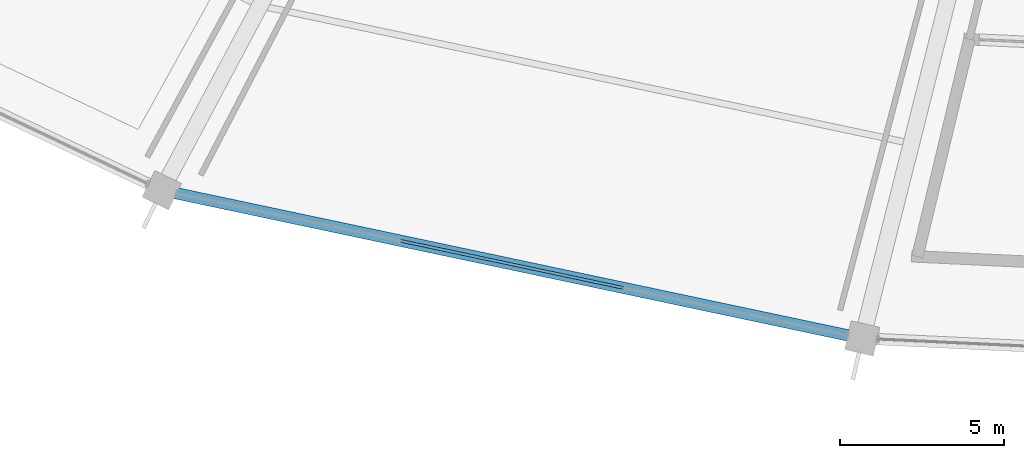
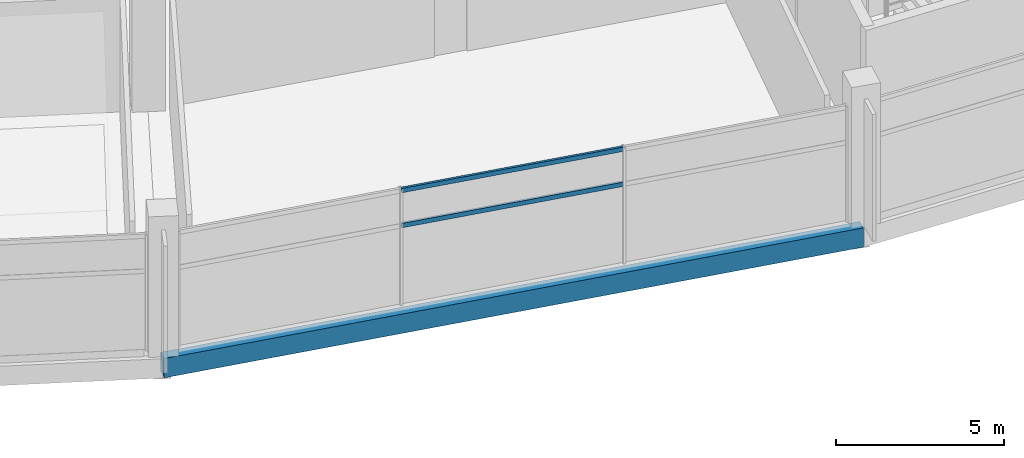
# One storey, part 17 of 184: 2 members, 1 beam, 1 element without a shape of its own.
"""IFC4 building model written with IfcOpenShell, lengths in metres."""

from ifc_helpers import new_model, si_unit, direction, frame, origin, origin_2d, place, context, subcontext, project, spatial, rectangle, hollow_rectangle, extrude, material, layer, layer_set, material_profile, profile_set, type_object, element, aggregate, save


model = new_model("IFC4")

# Units and contexts
model_context = context("Model", 3, precision=1e-05, world=origin(), true_north=direction((0.0, 1.0)))
body_context = subcontext(model_context, "Body", "Model", "MODEL_VIEW")
ifc_project = project(units=[si_unit("LENGTHUNIT", "METRE"), si_unit("AREAUNIT", "SQUARE_METRE"), si_unit("VOLUMEUNIT", "CUBIC_METRE"), si_unit("PLANEANGLEUNIT", "RADIAN"), si_unit("MASSUNIT", "GRAM", prefix="KILO")], contexts=[model_context])

# Site, building, storey
site_placement = place(None, origin())
site = spatial("IfcSite", under=ifc_project, at=site_placement, CompositionType="ELEMENT")
building_placement = place(site_placement, origin())
building = spatial("IfcBuilding", under=site, at=building_placement, Name="Kazemori Nagisa Stadium", CompositionType="ELEMENT")
storey_placement = place(building_placement, frame((0.0, 0.0, 10.5400390625)))
storey = spatial("IfcBuildingStorey", under=building, at=storey_placement, Name="L02", CompositionType="ELEMENT", Elevation=10.5400390625)

# Beam
ifc_material_1 = material(Name="Concrete C40/50 (Fc42)", Category="concrete")
ifc_material_profile_1 = material_profile(ifc_material_1, rectangle(XDim=0.35009765625, YDim=0.699951171875, at=origin_2d()), Name="RC-SP-350x700")
ifc_profile_set_1 = profile_set([ifc_material_profile_1], Name="Concrete C40/50 (Fc42)")
beam_type = type_object("IfcBeamType", Name="Beam_BS-RC350X700", PredefinedType="SPANDREL", material=ifc_profile_set_1)
beam_placement = place(storey_placement, frame((80.1953125, 21.53564453125, -0.610107421875), z_axis=(0.97834587432, -0.206976689994, 0.0), x_axis=(0.206976689994, 0.97834587432, 0.0)))
element("IfcBeam", 1, at=beam_placement, inside=storey, type_object=beam_type, Name="Ring girder BS-RC350X700 L02 R3-20", PredefinedType="SPANDREL", context=body_context, shape_type="SweptSolid", body=[
    extrude(rectangle(XDim=0.35009765625, YDim=0.699951171875, at=origin_2d()), origin(), (0.0, 0.0, 1.0), 21.85009765625),
])

# Curtain wall, members
ifc_material_2 = material(Name="Anodised aluminium 6063-T5", Category="aluminium")
ifc_layer = layer(ifc_material_2, 0.2099609375, Name="Anodised aluminium 6063-T5", Category="aluminium")
ifc_layer_set = layer_set([ifc_layer], Name="Anodised aluminium 6063-T5")
curtain_wall_type = type_object("IfcCurtainWallType", Name="CW_L02R3_105", PredefinedType="USERDEFINED", material=ifc_layer_set)
curtain_wall_placement = place(storey_placement, origin())
curtain_wall = element("IfcCurtainWall", 2, at=curtain_wall_placement, inside=storey, type_object=curtain_wall_type, Name="Unitised curtain wall CW-L02R3-105 L02", ObjectType="UNITISED CURTAIN WALL", PredefinedType="USERDEFINED")
ifc_material_3 = material(Name="Aluminium 6063-T5 anodised", Category="aluminium")
ifc_material_profile_2 = material_profile(ifc_material_3, hollow_rectangle(XDim=0.080078125, YDim=0.159912109375, WallThickness=0.00390625, at=origin_2d()), Name="ALU-TRAN-80x160x4")
ifc_profile_set_2 = profile_set([ifc_material_profile_2], Name="Aluminium 6063-T5 anodised")
member_type = type_object("IfcMemberType", Name="Transom_T02", PredefinedType="USERDEFINED", material=ifc_profile_set_2)
member_1_placement = place(storey_placement, frame((87.495361328125, 19.9912109375, 2.84912109375), z_axis=(0.978348879673, -0.20696248366, 0.0), x_axis=(0.20696248366, 0.978348879673, 0.0)))
member_1 = element("IfcMember", 3, at=member_1_placement, type_object=member_type, Name="Curtain wall transom CW-L02R3-105-T2-mid", ObjectType="TRANSOM", PredefinedType="USERDEFINED", context=body_context, shape_type="SweptSolid", body=[
    extrude(hollow_rectangle(XDim=0.080078125, YDim=0.159912109375, WallThickness=0.00390625, at=origin_2d()), origin(), (0.0, 0.0, 1.0), 6.9267578125),
])
member_2_placement = place(storey_placement, frame((87.495361328125, 19.9912109375, 4.119873046875), z_axis=(0.978348879673, -0.20696248366, 0.0), x_axis=(0.20696248366, 0.978348879673, 0.0)))
member_2 = element("IfcMember", 4, at=member_2_placement, type_object=member_type, Name="Curtain wall transom CW-L02R3-105-T2-head", ObjectType="TRANSOM", PredefinedType="USERDEFINED", context=body_context, shape_type="SweptSolid", body=[
    extrude(hollow_rectangle(XDim=0.080078125, YDim=0.159912109375, WallThickness=0.00390625, at=origin_2d()), origin(), (0.0, 0.0, 1.0), 6.9267578125),
])
aggregate(curtain_wall, [member_1, member_2])

save(model, "model.ifc")
